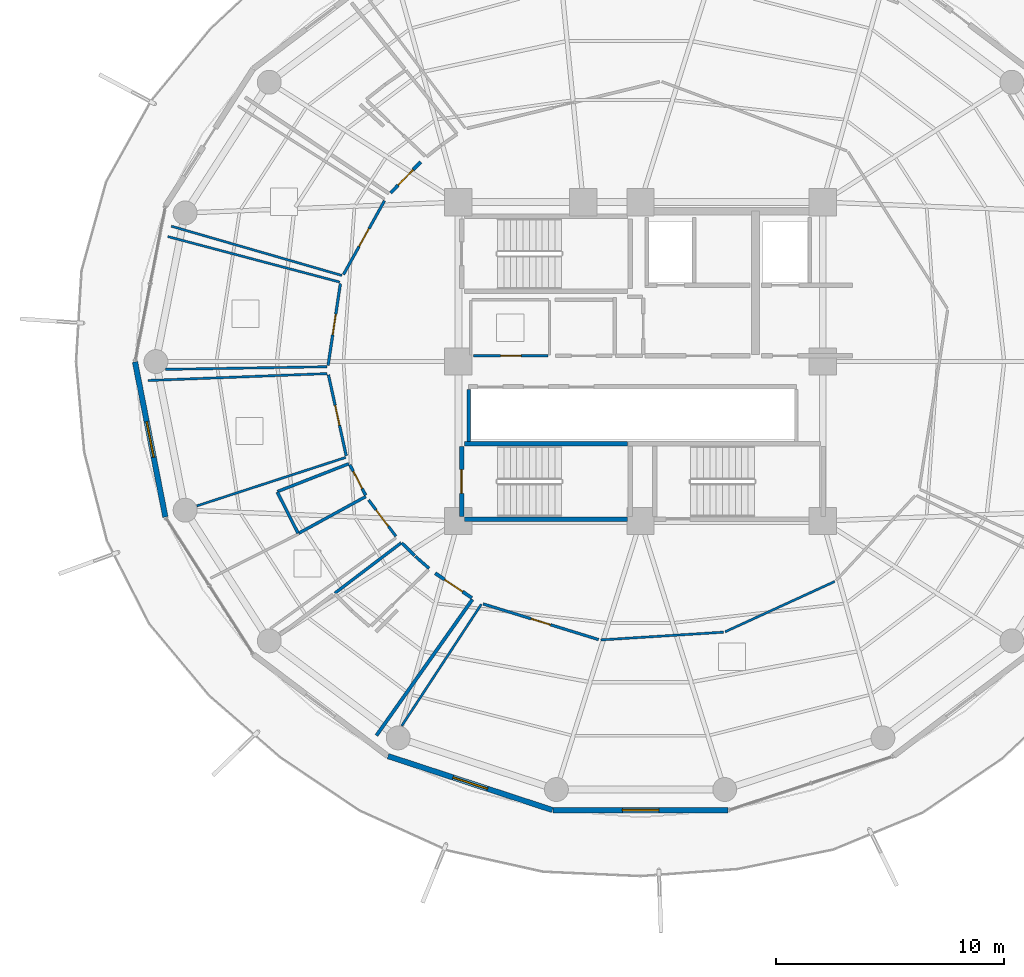
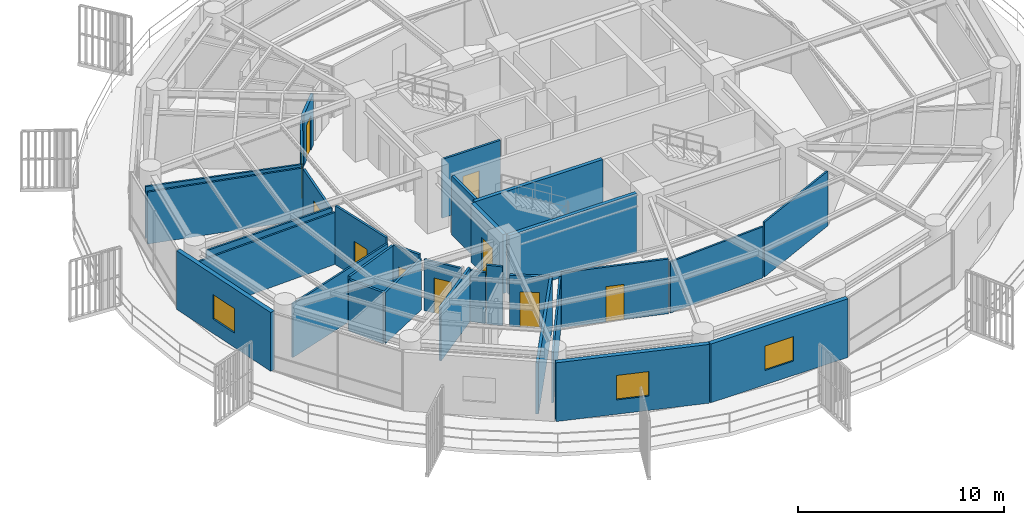
# One storey, part 23 of 30: 31 walls, 10 doors, 3 windows, 13 openings.
"""IFC4 building model written with IfcOpenShell, lengths in metres."""

from ifc_helpers import new_model, si_unit, direction, frame, frame_2d, origin, place, context, subcontext, project, spatial, rectangle, extrude, material, layer, layer_set, type_object, element, fill, save


model = new_model("IFC4")

# Units and contexts
model_context = context("Model", 3, precision=1e-05, world=origin(), true_north=direction((0.0, 1.0)))
body_context = subcontext(model_context, "Body", "Model", "MODEL_VIEW")
ifc_project = project(units=[si_unit("LENGTHUNIT", "METRE"), si_unit("AREAUNIT", "SQUARE_METRE"), si_unit("VOLUMEUNIT", "CUBIC_METRE"), si_unit("PLANEANGLEUNIT", "RADIAN"), si_unit("MASSUNIT", "GRAM", prefix="KILO")], contexts=[model_context])

# Site, building, storey
site_placement = place(None, origin())
site = spatial("IfcSite", under=ifc_project, at=site_placement, CompositionType="ELEMENT")
building_placement = place(site_placement, origin())
building = spatial("IfcBuilding", under=site, at=building_placement, Name="Kelanora Arch Commons", CompositionType="ELEMENT")
storey_placement = place(building_placement, frame((0.0, 0.0, 211.949951171875)))
storey = spatial("IfcBuildingStorey", under=building, at=storey_placement, Name="L54", CompositionType="ELEMENT", Elevation=211.949951171875)

# Wall
ifc_material_1 = material(Name="Autoclaved aerated concrete blockwork with fire plaster", Category="masonry")
ifc_layer_1 = layer(ifc_material_1, 0.14990234375)
ifc_layer_set_1 = layer_set([ifc_layer_1], Name="Autoclaved aerated concrete blockwork with fire plaster")
wall_type_1 = type_object("IfcWallType", Name="W-COMP-150", PredefinedType="PARTITIONING", material=ifc_layer_set_1)
wall_1_placement = place(storey_placement, frame((66.4599609375, 54.47998046875, 0.0), z_axis=(0.0, 0.0, 1.0), x_axis=(0.0, 1.0, 0.0)))
element("IfcWall", 1, at=wall_1_placement, inside=storey, type_object=wall_type_1, Name="South Lift Bank West Wall L54", PredefinedType="PARTITIONING", context=body_context, shape_type="SweptSolid", body=[
    extrude(rectangle(XDim=2.2900390625, YDim=0.14990234375, at=frame_2d((1.14501953125, 0.0))), origin(), (0.0, 0.0, 1.0), 3.47998046875),
])

# Wall, opening, door
wall_2_placement = place(storey_placement, frame((64.34716796875, 66.761962890625, 0.0), z_axis=(0.0, 0.0, 1.0), x_axis=(-0.697118859216, -0.716955574722, 0.0)))
wall_2 = element("IfcWall", 2, at=wall_2_placement, inside=storey, type_object=wall_type_1, Name="Co-Living Studio L54-01 Entry Partition", PredefinedType="PARTITIONING", context=body_context, shape_type="SweptSolid", body=[
    extrude(rectangle(XDim=1.895263671875, YDim=0.14990234375, at=frame_2d((0.94775390625, 0.0))), origin(), (0.0, 0.0, 1.0), 3.025146484375),
])
opening_1_placement = place(wall_2_placement, frame((0.472900390625, 0.0, 0.0)))
opening_1 = element("IfcOpeningElement", 3, at=opening_1_placement, cuts=wall_2, Name="Opening D-CLU1", PredefinedType="OPENING", context=body_context, shape_type="SweptSolid", body=[
    extrude(rectangle(XDim=0.949951171875, YDim=2.080078125, at=frame_2d((0.47509765625, 1.0400390625))), frame((0.0, 0.0849609375, 0.0), z_axis=(0.0, -1.0, 0.0), x_axis=(1.0, 0.0, 0.0)), (0.0, 0.0, 1.0), 0.169921875),
])
ifc_material_2 = material(Name="Solid-core acoustic timber cluster entry fire door", Category="wood")
door_type_1 = type_object("IfcDoorType", Name="D-CLU-95", OperationType="NOTDEFINED", PredefinedType="DOOR", material=ifc_material_2)
door_1_placement = place(opening_1_placement, origin())
door_1 = element("IfcDoor", 4, at=door_1_placement, inside=storey, type_object=door_type_1, Name="Co-Living Studio L54-01 Door", OperationType="SINGLE_SWING_RIGHT", OverallHeight=2.080078125, OverallWidth=0.949951171875, PredefinedType="DOOR", context=body_context, shape_type="SweptSolid", body=[
    extrude(rectangle(XDim=0.949951171875, YDim=2.080078125, at=frame_2d((0.47509765625, 1.0400390625))), frame((0.0, 0.02490234375, 0.0), z_axis=(0.0, -1.0, 0.0), x_axis=(1.0, 0.0, 0.0)), (0.0, 0.0, 1.0), 0.050048828125),
])
fill(opening_1, door_1)

wall_3_placement = place(storey_placement, frame((64.98388671875, 48.70654296875, 0.0), z_axis=(0.0, 0.0, 1.0), x_axis=(0.829408373073, -0.558642775553, 0.0)))
wall_3 = element("IfcWall", 5, at=wall_3_placement, inside=storey, type_object=wall_type_1, Name="Co-Living Studio L54-06 Entry Partition", PredefinedType="PARTITIONING", context=body_context, shape_type="SweptSolid", body=[
    extrude(rectangle(XDim=1.9404296875, YDim=0.14990234375, at=frame_2d((0.97021484375, 0.0))), origin(), (0.0, 0.0, 1.0), 3.025146484375),
])
opening_2_placement = place(wall_3_placement, frame((0.4951171875, 0.0, 0.0)))
opening_2 = element("IfcOpeningElement", 6, at=opening_2_placement, cuts=wall_3, Name="Opening D-CLU1", PredefinedType="OPENING", context=body_context, shape_type="SweptSolid", body=[
    extrude(rectangle(XDim=0.949951171875, YDim=2.080078125, at=frame_2d((0.47509765625, 1.0400390625))), frame((0.0, 0.0849609375, 0.0), z_axis=(0.0, -1.0, 0.0), x_axis=(1.0, 0.0, 0.0)), (0.0, 0.0, 1.0), 0.169921875),
])
door_2_placement = place(opening_2_placement, origin())
door_2 = element("IfcDoor", 7, at=door_2_placement, inside=storey, type_object=door_type_1, Name="Co-Living Studio L54-06 Door", OperationType="SINGLE_SWING_LEFT", OverallHeight=2.080078125, OverallWidth=0.949951171875, PredefinedType="DOOR", context=body_context, shape_type="SweptSolid", body=[
    extrude(rectangle(XDim=0.949951171875, YDim=2.080078125, at=frame_2d((0.47509765625, 1.0400390625))), frame((0.0, 0.02490234375, 0.0), z_axis=(0.0, -1.0, 0.0), x_axis=(1.0, 0.0, 0.0)), (0.0, 0.0, 1.0), 0.050048828125),
])
fill(opening_2, door_2)

# Wall
wall_4_placement = place(storey_placement, frame((66.619873046875, 47.556396484375, 0.0), z_axis=(0.0, 0.0, 1.0), x_axis=(-0.576552043051, -0.817060427174, 0.0)))
element("IfcWall", 8, at=wall_4_placement, inside=storey, type_object=wall_type_1, Name="Co-Living Studio L54-06 Enclosure Partition 2", PredefinedType="PARTITIONING", context=body_context, shape_type="SweptSolid", body=[
    extrude(rectangle(XDim=7.308837890625, YDim=0.14990234375, at=frame_2d((3.654296875, 0.0))), origin(), (0.0, 0.0, 1.0), 3.025146484375),
])

# Wall, opening, window
ifc_material_3 = material(Name="Precast concrete C40/50 upper-zone terracotta rainscreen", Category="masonry")
ifc_layer_2 = layer(ifc_material_3, 0.239990234375)
ifc_layer_set_2 = layer_set([ifc_layer_2], Name="Precast concrete C40/50 upper-zone terracotta rainscreen")
wall_type_2 = type_object("IfcWallType", Name="W-EXT-TC2", PredefinedType="SOLIDWALL", material=ifc_layer_set_2)
wall_5_placement = place(storey_placement, frame((51.802978515625, 57.9853515625, 0.0), z_axis=(0.0, 0.0, 1.0), x_axis=(0.192069055673, -0.981381413036, 0.0)))
wall_5 = element("IfcWall", 9, at=wall_5_placement, inside=storey, type_object=wall_type_2, Name="Terracotta Exterior Wall L54-B09", PredefinedType="SOLIDWALL", context=body_context, shape_type="SweptSolid", body=[
    extrude(rectangle(XDim=6.940185546875, YDim=0.239990234375, at=frame_2d((3.47021484375, 0.0))), origin(), (0.0, 0.0, 1.0), 3.47509765625),
])
opening_3_placement = place(wall_5_placement, frame((2.669921875, 0.0, 0.85009765625)))
opening_3 = element("IfcOpeningElement", 10, at=opening_3_placement, cuts=wall_5, Name="Opening WN-01", PredefinedType="OPENING", context=body_context, shape_type="SweptSolid", body=[
    extrude(rectangle(XDim=1.60009765625, YDim=1.449951171875, at=frame_2d((0.800048828125, 0.72509765625))), frame((0.0, 0.1298828125, 0.0), z_axis=(0.0, -1.0, 0.0), x_axis=(1.0, 0.0, 0.0)), (0.0, 0.0, 1.0), 0.260009765625),
])
ifc_material_4 = material(Name="Terracotta-anodised aluminium frame with operable low-E glazing", Category="masonry")
window_type = type_object("IfcWindowType", Name="WIN-CL-18", PartitioningType="DOUBLE_PANEL_VERTICAL", PredefinedType="WINDOW", material=ifc_material_4)
window_1_placement = place(opening_3_placement, origin())
window_1 = element("IfcWindow", 11, at=window_1_placement, inside=storey, type_object=window_type, Name="Co-Living Operable Window L54-B09", OverallHeight=1.449951171875, OverallWidth=1.60009765625, PartitioningType="SINGLE_PANEL", PredefinedType="WINDOW", context=body_context, shape_type="SweptSolid", body=[
    extrude(rectangle(XDim=1.60009765625, YDim=1.449951171875, at=frame_2d((0.800048828125, 0.72509765625))), frame((0.0, 0.030029296875, 0.0), z_axis=(0.0, -1.0, 0.0), x_axis=(1.0, 0.0, 0.0)), (0.0, 0.0, 1.0), 0.06005859375),
])
fill(opening_3, window_1)

wall_6_placement = place(storey_placement, frame((62.914306640625, 40.6748046875, 0.0), z_axis=(0.0, 0.0, 1.0), x_axis=(0.95022142767, -0.31157541366, 0.0)))
wall_6 = element("IfcWall", 12, at=wall_6_placement, inside=storey, type_object=wall_type_2, Name="Terracotta Exterior Wall L54-B12", PredefinedType="SOLIDWALL", context=body_context, shape_type="SweptSolid", body=[
    extrude(rectangle(XDim=7.59423828125, YDim=0.239990234375, at=frame_2d((3.797119140625, 0.0))), origin(), (0.0, 0.0, 1.0), 3.47509765625),
])
opening_4_placement = place(wall_6_placement, frame((2.9970703125, 0.0, 0.85009765625)))
opening_4 = element("IfcOpeningElement", 13, at=opening_4_placement, cuts=wall_6, Name="Opening WN-01", PredefinedType="OPENING", context=body_context, shape_type="SweptSolid", body=[
    extrude(rectangle(XDim=1.60009765625, YDim=1.449951171875, at=frame_2d((0.800048828125, 0.72509765625))), frame((0.0, 0.1298828125, 0.0), z_axis=(0.0, -1.0, 0.0), x_axis=(1.0, 0.0, 0.0)), (0.0, 0.0, 1.0), 0.260009765625),
])
window_2_placement = place(opening_4_placement, origin())
window_2 = element("IfcWindow", 14, at=window_2_placement, inside=storey, type_object=window_type, Name="Co-Living Operable Window L54-B12", OverallHeight=1.449951171875, OverallWidth=1.60009765625, PartitioningType="SINGLE_PANEL", PredefinedType="WINDOW", context=body_context, shape_type="SweptSolid", body=[
    extrude(rectangle(XDim=1.60009765625, YDim=1.449951171875, at=frame_2d((0.800048828125, 0.72509765625))), frame((0.0, 0.030029296875, 0.0), z_axis=(0.0, -1.0, 0.0), x_axis=(1.0, 0.0, 0.0)), (0.0, 0.0, 1.0), 0.06005859375),
])
fill(opening_4, window_2)

wall_7_placement = place(storey_placement, frame((70.159912109375, 38.3037109375, 0.0), z_axis=(0.0, 0.0, 1.0), x_axis=(1.0, 0.0, 0.0)))
wall_7 = element("IfcWall", 15, at=wall_7_placement, inside=storey, type_object=wall_type_2, Name="Terracotta Exterior Wall L54-B13", PredefinedType="SOLIDWALL", context=body_context, shape_type="SweptSolid", body=[
    extrude(rectangle(XDim=7.68017578125, YDim=0.239990234375, at=frame_2d((3.840087890625, 0.0))), origin(), (0.0, 0.0, 1.0), 3.47509765625),
])
opening_5_placement = place(wall_7_placement, frame((3.0400390625, 0.0, 0.85009765625)))
opening_5 = element("IfcOpeningElement", 16, at=opening_5_placement, cuts=wall_7, Name="Opening WN-01", PredefinedType="OPENING", context=body_context, shape_type="SweptSolid", body=[
    extrude(rectangle(XDim=1.60009765625, YDim=1.449951171875, at=frame_2d((0.800048828125, 0.72509765625))), frame((0.0, 0.1298828125, 0.0), z_axis=(0.0, -1.0, 0.0), x_axis=(1.0, 0.0, 0.0)), (0.0, 0.0, 1.0), 0.260009765625),
])
window_3_placement = place(opening_5_placement, origin())
window_3 = element("IfcWindow", 17, at=window_3_placement, inside=storey, type_object=window_type, Name="Co-Living Operable Window L54-B13", OverallHeight=1.449951171875, OverallWidth=1.60009765625, PartitioningType="SINGLE_PANEL", PredefinedType="WINDOW", context=body_context, shape_type="SweptSolid", body=[
    extrude(rectangle(XDim=1.60009765625, YDim=1.449951171875, at=frame_2d((0.800048828125, 0.72509765625))), frame((0.0, 0.030029296875, 0.0), z_axis=(0.0, -1.0, 0.0), x_axis=(1.0, 0.0, 0.0)), (0.0, 0.0, 1.0), 0.06005859375),
])
fill(opening_5, window_3)

# Walls
ifc_material_5 = material(Name="Lightweight fire-rated acoustic stud partition")
ifc_layer_3 = layer(ifc_material_5, 0.10009765625)
ifc_layer_set_3 = layer_set([ifc_layer_3], Name="Lightweight fire-rated acoustic stud partition")
wall_type_3 = type_object("IfcWallType", Name="W-PART-100", PredefinedType="PARTITIONING", material=ifc_layer_set_3)
wall_8_placement = place(storey_placement, frame((72.25390625, 45.777587890625, 0.0), z_axis=(0.0, 0.0, 1.0), x_axis=(0.99800477295, 0.063138523658, 0.0)))
element("IfcWall", 18, at=wall_8_placement, inside=storey, type_object=wall_type_3, Name="South-East Shared Study Commons L54 Enclosure Partition 2", PredefinedType="PARTITIONING", context=body_context, shape_type="SweptSolid", body=[
    extrude(rectangle(XDim=5.39794921875, YDim=0.10009765625, at=frame_2d((2.698974609375, 0.0))), origin(), (0.0, 0.0, 1.0), 3.025146484375),
])
wall_9_placement = place(storey_placement, frame((77.71728515625, 46.1376953125, 0.0), z_axis=(0.0, 0.0, 1.0), x_axis=(0.908908137454, 0.416996400069, 0.0)))
element("IfcWall", 19, at=wall_9_placement, inside=storey, type_object=wall_type_3, Name="South-East Shared Study Commons L54 Enclosure Partition 3", PredefinedType="PARTITIONING", context=body_context, shape_type="SweptSolid", body=[
    extrude(rectangle(XDim=5.2890625, YDim=0.10009765625, at=frame_2d((2.64453125, 0.0))), origin(), (0.0, 0.0, 1.0), 3.235107421875),
])
wall_10_placement = place(storey_placement, frame((63.513916015625, 42.00439453125, 0.0), z_axis=(0.0, 0.0, 1.0), x_axis=(0.547776057645, 0.836625000028, 0.0)))
element("IfcWall", 20, at=wall_10_placement, inside=storey, type_object=wall_type_3, Name="South-East Shared Study Commons L54 Enclosure Partition 10", PredefinedType="PARTITIONING", context=body_context, shape_type="SweptSolid", body=[
    extrude(rectangle(XDim=6.380615234375, YDim=0.10009765625, at=frame_2d((3.1904296875, 0.0))), origin(), (0.0, 0.0, 1.0), 3.025146484375),
])
wall_11_placement = place(storey_placement, frame((60.888671875, 61.780029296875, 0.0), z_axis=(0.0, 0.0, 1.0), x_axis=(-0.960734399679, 0.277469661899, 0.0)))
element("IfcWall", 21, at=wall_11_placement, inside=storey, type_object=wall_type_3, Name="Shared Cluster Kitchen L54-02 Enclosure Partition 2", PredefinedType="PARTITIONING", context=body_context, shape_type="SweptSolid", body=[
    extrude(rectangle(XDim=7.79833984375, YDim=0.10009765625, at=frame_2d((3.899169921875, 0.0))), origin(), (0.0, 0.0, 1.0), 3.074951171875),
])
wall_12_placement = place(storey_placement, frame((60.23193359375, 57.773193359375, 0.0), z_axis=(0.0, 0.0, 1.0), x_axis=(-0.999864271248, -0.016475408379, 0.0)))
element("IfcWall", 22, at=wall_12_placement, inside=storey, type_object=wall_type_3, Name="Quiet Seminar Study Room L54-03 Enclosure Partition 2", PredefinedType="PARTITIONING", context=body_context, shape_type="SweptSolid", body=[
    extrude(rectangle(XDim=7.083251953125, YDim=0.10009765625, at=frame_2d((3.54150390625, 0.0))), origin(), (0.0, 0.0, 1.0), 3.175048828125),
])
wall_13_placement = place(storey_placement, frame((53.24072265625, 63.48974609375, 0.0), z_axis=(0.0, 0.0, 1.0), x_axis=(0.966701361123, -0.25590716755, 0.0)))
element("IfcWall", 23, at=wall_13_placement, inside=storey, type_object=wall_type_3, Name="Quiet Seminar Study Room L54-03 Enclosure Partition 4", PredefinedType="PARTITIONING", context=body_context, shape_type="SweptSolid", body=[
    extrude(rectangle(XDim=7.8095703125, YDim=0.10009765625, at=frame_2d((3.90478515625, 0.0))), origin(), (0.0, 0.0, 1.0), 3.074951171875),
])
wall_14_placement = place(storey_placement, frame((61.052001953125, 53.79052734375, 0.0), z_axis=(0.0, 0.0, 1.0), x_axis=(-0.950863645771, -0.309609959708, 0.0)))
element("IfcWall", 24, at=wall_14_placement, inside=storey, type_object=wall_type_3, Name="Social Sky Lounge L54-04 Enclosure Partition 2", PredefinedType="PARTITIONING", context=body_context, shape_type="SweptSolid", body=[
    extrude(rectangle(XDim=6.869873046875, YDim=0.10009765625, at=frame_2d((3.43505859375, 0.0))), origin(), (0.0, 0.0, 1.0), 3.175048828125),
])
wall_15_placement = place(storey_placement, frame((52.3798828125, 57.16845703125, 0.0), z_axis=(0.0, 0.0, 1.0), x_axis=(0.999258468257, 0.038503423452, 0.0)))
element("IfcWall", 25, at=wall_15_placement, inside=storey, type_object=wall_type_3, Name="Social Sky Lounge L54-04 Enclosure Partition 4", PredefinedType="PARTITIONING", context=body_context, shape_type="SweptSolid", body=[
    extrude(rectangle(XDim=7.868896484375, YDim=0.10009765625, at=frame_2d((3.9345703125, 0.0))), origin(), (0.0, 0.0, 1.0), 3.074951171875),
])

# Wall, opening, door
ifc_material_6 = material(Name="Acoustic twin-stud fire-rated gypsum partition")
ifc_layer_4 = layer(ifc_material_6, 0.1201171875)
ifc_layer_set_4 = layer_set([ifc_layer_4], Name="Acoustic twin-stud fire-rated gypsum partition")
wall_type_4 = type_object("IfcWallType", Name="W-PART-120", PredefinedType="PARTITIONING", material=ifc_layer_set_4)
wall_16_placement = place(storey_placement, frame((66.67529296875, 58.25, 0.0), z_axis=(0.0, 0.0, 1.0), x_axis=(1.0, 0.0, 0.0)))
wall_16 = element("IfcWall", 26, at=wall_16_placement, inside=storey, type_object=wall_type_4, Name="Reclaimed Core Quiet Phone Booths L54 Entry Partition", PredefinedType="PARTITIONING", context=body_context, shape_type="SweptSolid", body=[
    extrude(rectangle(XDim=3.2646484375, YDim=0.1201171875, at=frame_2d((1.63232421875, 0.0))), origin(), (0.0, 0.0, 1.0), 3.47998046875),
])
opening_6_placement = place(wall_16_placement, frame((1.181884765625, 0.0, 0.0)))
opening_6 = element("IfcOpeningElement", 27, at=opening_6_placement, cuts=wall_16, Name="Opening D-RM1", PredefinedType="OPENING", context=body_context, shape_type="SweptSolid", body=[
    extrude(rectangle(XDim=0.89990234375, YDim=2.080078125, at=frame_2d((0.449951171875, 1.0400390625))), frame((0.0, 0.070068359375, 0.0), z_axis=(0.0, -1.0, 0.0), x_axis=(1.0, 0.0, 0.0)), (0.0, 0.0, 1.0), 0.14013671875),
])
ifc_material_7 = material(Name="Acoustic fire-rated timber study and lounge door", Category="wood")
door_type_2 = type_object("IfcDoorType", Name="D-ROOM-90", OperationType="NOTDEFINED", PredefinedType="DOOR", material=ifc_material_7)
door_3_placement = place(opening_6_placement, origin())
door_3 = element("IfcDoor", 28, at=door_3_placement, inside=storey, type_object=door_type_2, Name="Reclaimed Core Quiet Phone Booths L54 Door", OperationType="SINGLE_SWING_LEFT", OverallHeight=2.080078125, OverallWidth=0.89990234375, PredefinedType="DOOR", context=body_context, shape_type="SweptSolid", body=[
    extrude(rectangle(XDim=0.89990234375, YDim=2.080078125, at=frame_2d((0.449951171875, 1.0400390625))), frame((0.0, 0.02490234375, 0.0), z_axis=(0.0, -1.0, 0.0), x_axis=(1.0, 0.0, 0.0)), (0.0, 0.0, 1.0), 0.050048828125),
])
fill(opening_6, door_3)

wall_17_placement = place(storey_placement, frame((67.08837890625, 47.3583984375, 0.0), z_axis=(0.0, 0.0, 1.0), x_axis=(0.955451026591, -0.295149683696, 0.0)))
wall_17 = element("IfcWall", 29, at=wall_17_placement, inside=storey, type_object=wall_type_4, Name="South-East Shared Study Commons L54 Entry Partition", PredefinedType="PARTITIONING", context=body_context, shape_type="SweptSolid", body=[
    extrude(rectangle(XDim=5.3046875, YDim=0.1201171875, at=frame_2d((2.65234375, 0.0))), origin(), (0.0, 0.0, 1.0), 3.235107421875),
])
opening_7_placement = place(wall_17_placement, frame((2.201904296875, 0.0, 0.0)))
opening_7 = element("IfcOpeningElement", 30, at=opening_7_placement, cuts=wall_17, Name="Opening D-RM1", PredefinedType="OPENING", context=body_context, shape_type="SweptSolid", body=[
    extrude(rectangle(XDim=0.89990234375, YDim=2.080078125, at=frame_2d((0.449951171875, 1.0400390625))), frame((0.0, 0.070068359375, 0.0), z_axis=(0.0, -1.0, 0.0), x_axis=(1.0, 0.0, 0.0)), (0.0, 0.0, 1.0), 0.14013671875),
])
door_4_placement = place(opening_7_placement, origin())
door_4 = element("IfcDoor", 31, at=door_4_placement, inside=storey, type_object=door_type_2, Name="South-East Shared Study Commons L54 Door", OperationType="SINGLE_SWING_LEFT", OverallHeight=2.080078125, OverallWidth=0.89990234375, PredefinedType="DOOR", context=body_context, shape_type="SweptSolid", body=[
    extrude(rectangle(XDim=0.89990234375, YDim=2.080078125, at=frame_2d((0.449951171875, 1.0400390625))), frame((0.0, 0.02490234375, 0.0), z_axis=(0.0, -1.0, 0.0), x_axis=(1.0, 0.0, 0.0)), (0.0, 0.0, 1.0), 0.050048828125),
])
fill(opening_7, door_4)

wall_18_placement = place(storey_placement, frame((62.7587890625, 65.063720703125, 0.0), z_axis=(0.0, 0.0, 1.0), x_axis=(-0.485877595764, -0.874026865683, 0.0)))
wall_18 = element("IfcWall", 32, at=wall_18_placement, inside=storey, type_object=wall_type_4, Name="Shared Cluster Kitchen L54-02 Entry Partition", PredefinedType="PARTITIONING", context=body_context, shape_type="SweptSolid", body=[
    extrude(rectangle(XDim=3.709716796875, YDim=0.1201171875, at=frame_2d((1.85498046875, 0.0))), origin(), (0.0, 0.0, 1.0), 3.025146484375),
])
opening_8_placement = place(wall_18_placement, frame((1.405029296875, 0.0, 0.0)))
opening_8 = element("IfcOpeningElement", 33, at=opening_8_placement, cuts=wall_18, Name="Opening D-RM1", PredefinedType="OPENING", context=body_context, shape_type="SweptSolid", body=[
    extrude(rectangle(XDim=0.89990234375, YDim=2.080078125, at=frame_2d((0.449951171875, 1.0400390625))), frame((0.0, 0.070068359375, 0.0), z_axis=(0.0, -1.0, 0.0), x_axis=(1.0, 0.0, 0.0)), (0.0, 0.0, 1.0), 0.14013671875),
])
door_5_placement = place(opening_8_placement, origin())
door_5 = element("IfcDoor", 34, at=door_5_placement, inside=storey, type_object=door_type_2, Name="Shared Cluster Kitchen L54-02 Door", OperationType="SINGLE_SWING_LEFT", OverallHeight=2.080078125, OverallWidth=0.89990234375, PredefinedType="DOOR", context=body_context, shape_type="SweptSolid", body=[
    extrude(rectangle(XDim=0.89990234375, YDim=2.080078125, at=frame_2d((0.449951171875, 1.0400390625))), frame((0.0, 0.02490234375, 0.0), z_axis=(0.0, -1.0, 0.0), x_axis=(1.0, 0.0, 0.0)), (0.0, 0.0, 1.0), 0.050048828125),
])
fill(opening_8, door_5)

wall_19_placement = place(storey_placement, frame((60.820068359375, 61.421630859375, 0.0), z_axis=(0.0, 0.0, 1.0), x_axis=(-0.148557592641, -0.988903757536, 0.0)))
wall_19 = element("IfcWall", 35, at=wall_19_placement, inside=storey, type_object=wall_type_4, Name="Quiet Seminar Study Room L54-03 Entry Partition", PredefinedType="PARTITIONING", context=body_context, shape_type="SweptSolid", body=[
    extrude(rectangle(XDim=3.628662109375, YDim=0.1201171875, at=frame_2d((1.814453125, 0.0))), origin(), (0.0, 0.0, 1.0), 3.025146484375),
])
opening_9_placement = place(wall_19_placement, frame((1.364013671875, 0.0, 0.0)))
opening_9 = element("IfcOpeningElement", 36, at=opening_9_placement, cuts=wall_19, Name="Opening D-RM1", PredefinedType="OPENING", context=body_context, shape_type="SweptSolid", body=[
    extrude(rectangle(XDim=0.89990234375, YDim=2.080078125, at=frame_2d((0.449951171875, 1.0400390625))), frame((0.0, 0.070068359375, 0.0), z_axis=(0.0, -1.0, 0.0), x_axis=(1.0, 0.0, 0.0)), (0.0, 0.0, 1.0), 0.14013671875),
])
door_6_placement = place(opening_9_placement, origin())
door_6 = element("IfcDoor", 37, at=door_6_placement, inside=storey, type_object=door_type_2, Name="Quiet Seminar Study Room L54-03 Door", OperationType="SINGLE_SWING_RIGHT", OverallHeight=2.080078125, OverallWidth=0.89990234375, PredefinedType="DOOR", context=body_context, shape_type="SweptSolid", body=[
    extrude(rectangle(XDim=0.89990234375, YDim=2.080078125, at=frame_2d((0.449951171875, 1.0400390625))), frame((0.0, 0.02490234375, 0.0), z_axis=(0.0, -1.0, 0.0), x_axis=(1.0, 0.0, 0.0)), (0.0, 0.0, 1.0), 0.050048828125),
])
fill(opening_9, door_6)

wall_20_placement = place(storey_placement, frame((60.2958984375, 57.414306640625, 0.0), z_axis=(0.0, 0.0, 1.0), x_axis=(0.214769597133, -0.976664742963, 0.0)))
wall_20 = element("IfcWall", 38, at=wall_20_placement, inside=storey, type_object=wall_type_4, Name="Social Sky Lounge L54-04 Entry Partition", PredefinedType="PARTITIONING", context=body_context, shape_type="SweptSolid", body=[
    extrude(rectangle(XDim=3.6376953125, YDim=0.1201171875, at=frame_2d((1.81884765625, 0.0))), origin(), (0.0, 0.0, 1.0), 3.47998046875),
])
opening_10_placement = place(wall_20_placement, frame((1.368896484375, 0.0, 0.0)))
opening_10 = element("IfcOpeningElement", 39, at=opening_10_placement, cuts=wall_20, Name="Opening D-RM1", PredefinedType="OPENING", context=body_context, shape_type="SweptSolid", body=[
    extrude(rectangle(XDim=0.89990234375, YDim=2.080078125, at=frame_2d((0.449951171875, 1.0400390625))), frame((0.0, 0.070068359375, 0.0), z_axis=(0.0, -1.0, 0.0), x_axis=(1.0, 0.0, 0.0)), (0.0, 0.0, 1.0), 0.14013671875),
])
door_7_placement = place(opening_10_placement, origin())
door_7 = element("IfcDoor", 40, at=door_7_placement, inside=storey, type_object=door_type_2, Name="Social Sky Lounge L54-04 Door", OperationType="SINGLE_SWING_LEFT", OverallHeight=2.080078125, OverallWidth=0.89990234375, PredefinedType="DOOR", context=body_context, shape_type="SweptSolid", body=[
    extrude(rectangle(XDim=0.89990234375, YDim=2.080078125, at=frame_2d((0.449951171875, 1.0400390625))), frame((0.0, 0.02490234375, 0.0), z_axis=(0.0, -1.0, 0.0), x_axis=(1.0, 0.0, 0.0)), (0.0, 0.0, 1.0), 0.050048828125),
])
fill(opening_10, door_7)

wall_21_placement = place(storey_placement, frame((62.06005859375, 51.922119140625, 0.0), z_axis=(0.0, 0.0, 1.0), x_axis=(0.600647163637, -0.799514218019, 0.0)))
wall_21 = element("IfcWall", 41, at=wall_21_placement, inside=storey, type_object=wall_type_4, Name="Tutorial Study Alcove L54-05 Entry Partition", PredefinedType="PARTITIONING", context=body_context, shape_type="SweptSolid", body=[
    extrude(rectangle(XDim=1.9912109375, YDim=0.1201171875, at=frame_2d((0.99560546875, 0.0))), origin(), (0.0, 0.0, 1.0), 3.025146484375),
])
opening_11_placement = place(wall_21_placement, frame((0.5458984375, 0.0, 0.0)))
opening_11 = element("IfcOpeningElement", 42, at=opening_11_placement, cuts=wall_21, Name="Opening D-RM1", PredefinedType="OPENING", context=body_context, shape_type="SweptSolid", body=[
    extrude(rectangle(XDim=0.89990234375, YDim=2.080078125, at=frame_2d((0.449951171875, 1.0400390625))), frame((0.0, 0.070068359375, 0.0), z_axis=(0.0, -1.0, 0.0), x_axis=(1.0, 0.0, 0.0)), (0.0, 0.0, 1.0), 0.14013671875),
])
door_8_placement = place(opening_11_placement, origin())
door_8 = element("IfcDoor", 43, at=door_8_placement, inside=storey, type_object=door_type_2, Name="Tutorial Study Alcove L54-05 Door", OperationType="SINGLE_SWING_LEFT", OverallHeight=2.080078125, OverallWidth=0.89990234375, PredefinedType="DOOR", context=body_context, shape_type="SweptSolid", body=[
    extrude(rectangle(XDim=0.89990234375, YDim=2.080078125, at=frame_2d((0.449951171875, 1.0400390625))), frame((0.0, 0.02490234375, 0.0), z_axis=(0.0, -1.0, 0.0), x_axis=(1.0, 0.0, 0.0)), (0.0, 0.0, 1.0), 0.050048828125),
])
fill(opening_11, door_8)

# Walls
ifc_material_8 = material(Name="Concrete C40/50", Category="concrete")
ifc_layer_5 = layer(ifc_material_8, 0.199951171875)
ifc_layer_set_5 = layer_set([ifc_layer_5], Name="Concrete C40/50")
wall_type_5 = type_object("IfcWallType", Name="W-STAIR-200", PredefinedType="SHEAR", material=ifc_layer_set_5)
for number, where, z_axis, x_axis, name in (
    (44, (66.260009765625, 51.080078125, 0.0), (0.0, 0.0, 1.0), (1.0, 0.0, 0.0), "Stair ST-T3 Shaft Wall S L54"),
    (45, (73.419921875, 54.389892578125, 0.0), (0.0, 0.0, 1.0), (-1.0, 0.0, 0.0), "Stair ST-T3 Shaft Wall N L54"),
):
    element("IfcWall", number, at=place(storey_placement, frame(where, z_axis=z_axis, x_axis=x_axis)), inside=storey, type_object=wall_type_5, Name=name, PredefinedType="SHEAR", context=body_context, shape_type="SweptSolid", body=[
        extrude(rectangle(XDim=7.159912109375, YDim=0.199951171875, at=frame_2d((3.580078125, 0.0))), origin(), (0.0, 0.0, 1.0), 3.489990234375),
    ])

# Wall, opening, door
wall_22_placement = place(storey_placement, frame((66.139892578125, 54.27001953125, 0.0), z_axis=(0.0, 0.0, 1.0), x_axis=(0.0, -1.0, 0.0)))
wall_22 = element("IfcWall", 46, at=wall_22_placement, inside=storey, type_object=wall_type_5, Name="Stair ST-T3 Shaft Wall W L54", PredefinedType="SHEAR", context=body_context, shape_type="SweptSolid", body=[
    extrude(rectangle(XDim=3.070068359375, YDim=0.199951171875, at=frame_2d((1.53515625, 0.0))), origin(), (0.0, 0.0, 1.0), 3.489990234375),
])
opening_12_placement = place(wall_22_placement, frame((1.010009765625, 0.0, 0.0)))
opening_12 = element("IfcOpeningElement", 47, at=opening_12_placement, cuts=wall_22, Name="Opening D-ST1", PredefinedType="OPENING", context=body_context, shape_type="SweptSolid", body=[
    extrude(rectangle(XDim=1.050048828125, YDim=2.10009765625, at=frame_2d((0.52490234375, 1.050048828125))), frame((0.0, 0.10986328125, 0.0), z_axis=(0.0, -1.0, 0.0), x_axis=(1.0, 0.0, 0.0)), (0.0, 0.0, 1.0), 0.219970703125),
])
ifc_material_9 = material(Name="Steel fire-rated stairwell escape door", Category="steel")
door_type_3 = type_object("IfcDoorType", Name="D-STAIR-110", OperationType="NOTDEFINED", PredefinedType="DOOR", material=ifc_material_9)
door_9_placement = place(opening_12_placement, origin())
door_9 = element("IfcDoor", 48, at=door_9_placement, inside=storey, type_object=door_type_3, Name="Stair ST-T3 Escape Door L54", OperationType="SINGLE_SWING_LEFT", OverallHeight=2.10009765625, OverallWidth=1.050048828125, PredefinedType="DOOR", context=body_context, shape_type="SweptSolid", body=[
    extrude(rectangle(XDim=1.050048828125, YDim=2.10009765625, at=frame_2d((0.52490234375, 1.050048828125))), frame((0.0, 0.02490234375, 0.0), z_axis=(0.0, -1.0, 0.0), x_axis=(1.0, 0.0, 0.0)), (0.0, 0.0, 1.0), 0.050048828125),
])
fill(opening_12, door_9)

ifc_material_10 = material(Name="Moisture-resistant fire-rated cement-board plumbing wall")
ifc_layer_6 = layer(ifc_material_10, 0.1298828125)
ifc_layer_set_6 = layer_set([ifc_layer_6], Name="Moisture-resistant fire-rated cement-board plumbing wall")
wall_type_6 = type_object("IfcWallType", Name="W-WET-120", PredefinedType="PLUMBINGWALL", material=ifc_layer_set_6)
wall_23_placement = place(storey_placement, frame((61.235595703125, 53.4677734375, 0.0), z_axis=(0.0, 0.0, 1.0), x_axis=(0.460573669508, -0.887621481802, 0.0)))
wall_23 = element("IfcWall", 49, at=wall_23_placement, inside=storey, type_object=wall_type_6, Name="Accessible Shared Floor WC L54-05 Entry Partition", PredefinedType="PLUMBINGWALL", context=body_context, shape_type="SweptSolid", body=[
    extrude(rectangle(XDim=1.500244140625, YDim=0.1298828125, at=frame_2d((0.75, 0.0))), origin(), (0.0, 0.0, 1.0), 3.235107421875),
])
opening_13_placement = place(wall_23_placement, frame((0.320068359375, 0.0, 0.0)))
opening_13 = element("IfcOpeningElement", 50, at=opening_13_placement, cuts=wall_23, Name="Opening D-BT1", PredefinedType="OPENING", context=body_context, shape_type="SweptSolid", body=[
    extrude(rectangle(XDim=0.860107421875, YDim=2.050048828125, at=frame_2d((0.43017578125, 1.02490234375))), frame((0.0, 0.074951171875, 0.0), z_axis=(0.0, -1.0, 0.0), x_axis=(1.0, 0.0, 0.0)), (0.0, 0.0, 1.0), 0.14990234375),
])
ifc_material_11 = material(Name="Moisture-sealed fire-rated accessible bathroom door")
door_type_4 = type_object("IfcDoorType", Name="D-BATH-85", OperationType="NOTDEFINED", PredefinedType="DOOR", material=ifc_material_11)
door_10_placement = place(opening_13_placement, origin())
door_10 = element("IfcDoor", 51, at=door_10_placement, inside=storey, type_object=door_type_4, Name="Accessible Shared Floor WC L54-05 Door", OperationType="SINGLE_SWING_RIGHT", OverallHeight=2.050048828125, OverallWidth=0.860107421875, PredefinedType="DOOR", context=body_context, shape_type="SweptSolid", body=[
    extrude(rectangle(XDim=0.860107421875, YDim=2.050048828125, at=frame_2d((0.43017578125, 1.02490234375))), frame((0.0, 0.02490234375, 0.0), z_axis=(0.0, -1.0, 0.0), x_axis=(1.0, 0.0, 0.0)), (0.0, 0.0, 1.0), 0.050048828125),
])
fill(opening_13, door_10)

# Walls
wall_24_placement = place(storey_placement, frame((61.9365234375, 52.073486328125, 0.0), z_axis=(0.0, 0.0, 1.0), x_axis=(-0.877295143091, -0.479951280767, 0.0)))
element("IfcWall", 52, at=wall_24_placement, inside=storey, type_object=wall_type_6, Name="Accessible Shared Floor WC L54-05 Enclosure Partition 2", PredefinedType="PLUMBINGWALL", context=body_context, shape_type="SweptSolid", body=[
    extrude(rectangle(XDim=3.3603515625, YDim=0.1298828125, at=frame_2d((1.68017578125, 0.0))), origin(), (0.0, 0.0, 1.0), 3.025146484375),
])
wall_25_placement = place(storey_placement, frame((58.9619140625, 50.46875, 0.0), z_axis=(0.0, 0.0, 1.0), x_axis=(-0.452384505313, 0.891822997771, 0.0)))
element("IfcWall", 53, at=wall_25_placement, inside=storey, type_object=wall_type_6, Name="Accessible Shared Floor WC L54-05 Enclosure Partition 3", PredefinedType="PLUMBINGWALL", context=body_context, shape_type="SweptSolid", body=[
    extrude(rectangle(XDim=2.017822265625, YDim=0.1298828125, at=frame_2d((1.0087890625, 0.0))), origin(), (0.0, 0.0, 1.0), 3.025146484375),
])
wall_26_placement = place(storey_placement, frame((58.05859375, 52.293212890625, 0.0), z_axis=(0.0, 0.0, 1.0), x_axis=(0.931712585556, 0.363196445352, 0.0)))
element("IfcWall", 54, at=wall_26_placement, inside=storey, type_object=wall_type_6, Name="Accessible Shared Floor WC L54-05 Enclosure Partition 4", PredefinedType="PLUMBINGWALL", context=body_context, shape_type="SweptSolid", body=[
    extrude(rectangle(XDim=3.3603515625, YDim=0.1298828125, at=frame_2d((1.68017578125, 0.0))), origin(), (0.0, 0.0, 1.0), 3.175048828125),
])
wall_27_placement = place(storey_placement, frame((63.519287109375, 50.035888671875, 0.0), z_axis=(0.0, 0.0, 1.0), x_axis=(0.708179895313, -0.706032036012, 0.0)))
element("IfcWall", 55, at=wall_27_placement, inside=storey, type_object=wall_type_6, Name="En-Suite Shower WC L54-06 Enclosure Partition 1", PredefinedType="PLUMBINGWALL", context=body_context, shape_type="SweptSolid", body=[
    extrude(rectangle(XDim=0.795654296875, YDim=0.1298828125, at=frame_2d((0.39794921875, 0.0))), origin(), (0.0, 0.0, 1.0), 3.025146484375),
])
wall_28_placement = place(storey_placement, frame((64.112060546875, 49.44677734375, 0.0), z_axis=(0.0, 0.0, 1.0), x_axis=(0.751480759656, -0.659755005943, 0.0)))
element("IfcWall", 56, at=wall_28_placement, inside=storey, type_object=wall_type_6, Name="En-Suite Shower WC L54-06 Enclosure Partition 2", PredefinedType="PLUMBINGWALL", context=body_context, shape_type="SweptSolid", body=[
    extrude(rectangle(XDim=0.80126953125, YDim=0.1298828125, at=frame_2d((0.400634765625, 0.0))), origin(), (0.0, 0.0, 1.0), 3.47998046875),
])
wall_29_placement = place(storey_placement, frame((60.574951171875, 47.828125, 0.0), z_axis=(0.0, 0.0, 1.0), x_axis=(0.79681650582, 0.604221363453, 0.0)))
element("IfcWall", 57, at=wall_29_placement, inside=storey, type_object=wall_type_6, Name="En-Suite Shower WC L54-06 Enclosure Partition 6", PredefinedType="PLUMBINGWALL", context=body_context, shape_type="SweptSolid", body=[
    extrude(rectangle(XDim=3.6572265625, YDim=0.1298828125, at=frame_2d((1.82861328125, 0.0))), origin(), (0.0, 0.0, 1.0), 3.175048828125),
])

save(model, "model.ifc")
